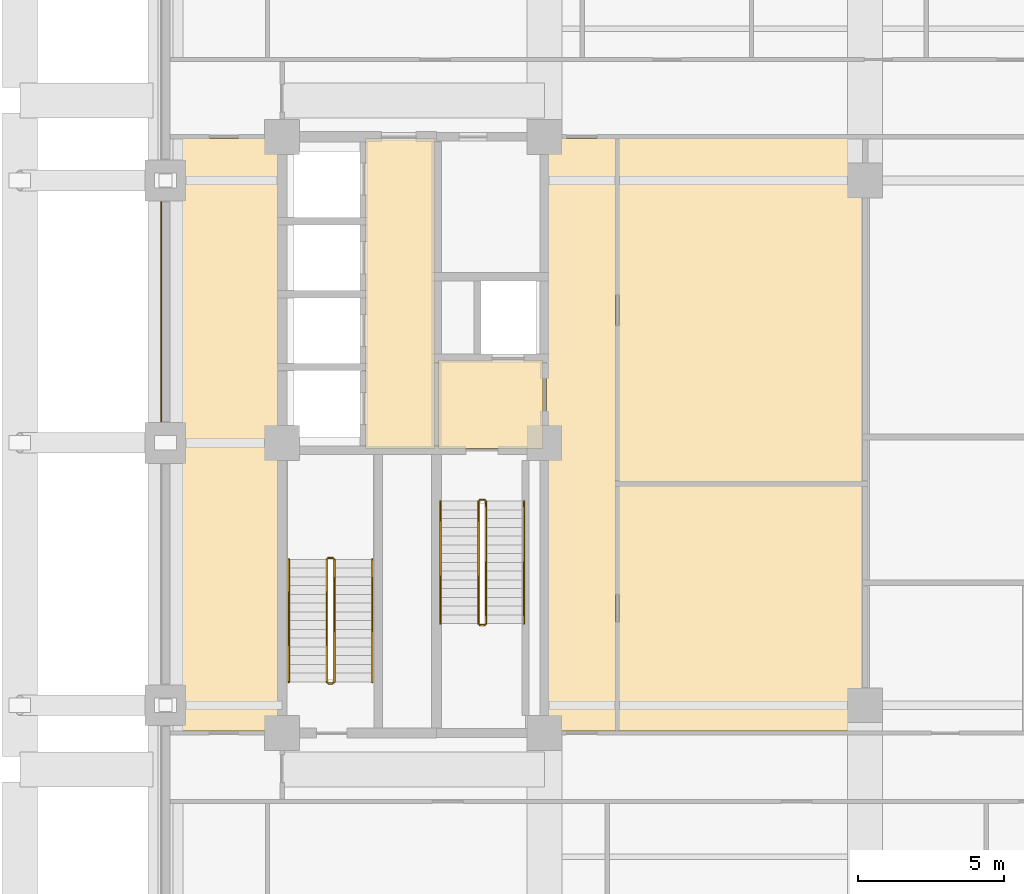
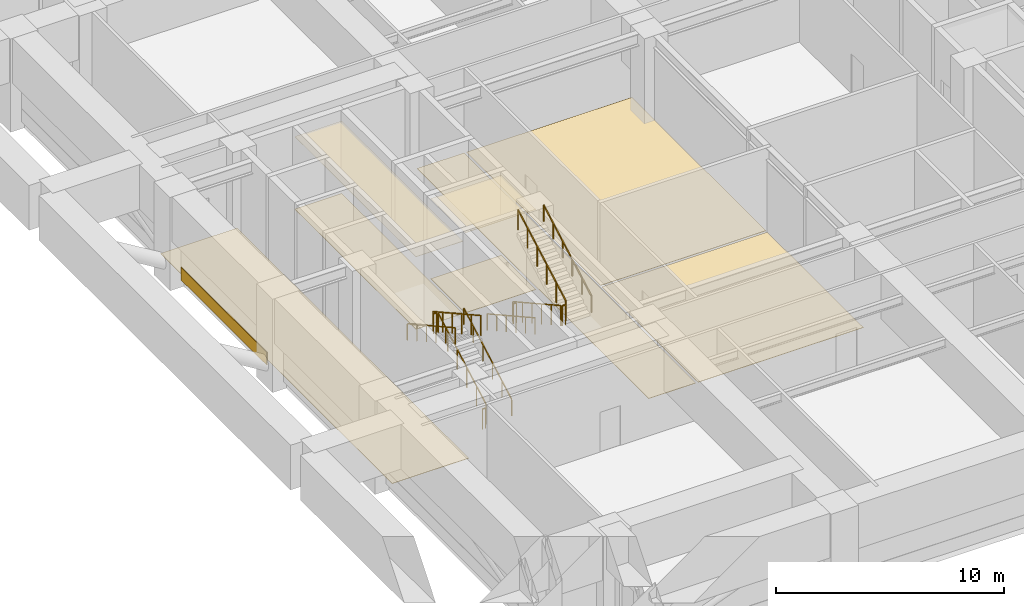
# One storey, part 8 of 11: 12 railings, 9 coverings.
"""IFC4 building model written with IfcOpenShell, lengths in metres."""

from ifc_helpers import new_model, si_unit, direction, frame, frame_2d, origin, origin_2d, place, context, subcontext, project, spatial, polyline, rectangle, outline, extrude, material, layer, layer_set, type_object, element, save


model = new_model("IFC4")

# Units and contexts
model_context = context("Model", 3, precision=1e-05, world=origin(), true_north=direction((0.0, 1.0)))
body_context = subcontext(model_context, "Body", "Model", "MODEL_VIEW")
ifc_project = project(units=[si_unit("LENGTHUNIT", "METRE"), si_unit("AREAUNIT", "SQUARE_METRE"), si_unit("VOLUMEUNIT", "CUBIC_METRE"), si_unit("PLANEANGLEUNIT", "RADIAN"), si_unit("MASSUNIT", "GRAM", prefix="KILO")], contexts=[model_context])

# Site, building, storey
site_placement = place(None, origin())
site = spatial("IfcSite", under=ifc_project, at=site_placement, CompositionType="ELEMENT")
building_placement = place(site_placement, origin())
building = spatial("IfcBuilding", under=site, at=building_placement, Name="Zulmaris Gate Convention Tower", CompositionType="ELEMENT")
storey_placement = place(building_placement, frame((0.0, 0.0, 52.18994140625)))
storey = spatial("IfcBuildingStorey", under=building, at=storey_placement, Name="L12", CompositionType="ELEMENT", Elevation=52.18994140625)

# Coverings
ifc_material_1 = material(Name="Precast concrete C40/50", Category="concrete")
ifc_layer_1 = layer(ifc_material_1, 0.0400390625, Name="Precast concrete C40/50")
ifc_layer_set_1 = layer_set([ifc_layer_1], Name="Precast concrete C40/50")
covering_type_1 = type_object("IfcCoveringType", Name="CLAD-SPANDREL-PRECAST", PredefinedType="CLADDING", material=ifc_layer_set_1)
covering_1_placement = place(storey_placement, frame((-24.14990234375, 8.27001953125, 0.0), z_axis=(0.0, 0.0, 1.0), x_axis=(0.0, -1.0, 0.0)))
element("IfcCovering", 1, at=covering_1_placement, inside=storey, type_object=covering_type_1, Name="CLD-L12-W-2_0", PredefinedType="CLADDING", context=body_context, shape_type="SweptSolid", body=[
    extrude(rectangle(XDim=7.5400390625, YDim=0.0400390625, at=frame_2d((3.77001953125, 0.0))), origin(), (0.0, 0.0, 1.0), 0.679931640625),
])
ifc_material_2 = material(Name="Mineral Fibre Acoustic Ceiling Tile")
ifc_layer_2 = layer(ifc_material_2, 0.02001953125, Name="Mineral Fibre Acoustic Ceiling Tile")
ifc_layer_set_2 = layer_set([ifc_layer_2], Name="Mineral Fibre Acoustic Ceiling Tile")
covering_type_2 = type_object("IfcCoveringType", Name="CLG-ACOUSTIC-600", PredefinedType="CEILING", material=ifc_layer_set_2)
covering_2_placement = place(storey_placement, frame((0.0, 0.0, 4.294921875)))
element("IfcCovering", 2, at=covering_2_placement, inside=storey, type_object=covering_type_2, Name="CLG-L12-R03", PredefinedType="CEILING", context=body_context, shape_type="SweptSolid", body=[
    extrude(outline(polyline([(-14.639892578125, -0.18994140625), (-11.06005859375, -0.18994140625), (-11.06005859375, 2.840087890625), (-14.639892578125, 2.840087890625), (-14.639892578125, -0.18994140625)])), origin(), (0.0, 0.0, 1.0), 0.02001953125),
])
covering_3_placement = place(storey_placement, frame((0.0, 0.0, 3.883056640625)))
element("IfcCovering", 3, at=covering_3_placement, inside=storey, type_object=covering_type_2, Name="CLG-L12-R16", PredefinedType="CEILING", context=body_context, shape_type="SweptSolid", body=[
    extrude(outline(polyline([(-17.139892578125, -0.18994140625), (-14.760009765625, -0.18994140625), (-14.760009765625, 10.43994140625), (-17.139892578125, 10.43994140625), (-17.139892578125, -0.18994140625)])), origin(), (0.0, 0.0, 1.0), 0.02001953125),
])
ifc_material_3 = material(Name="Woven Acoustic Wool Carpet Tile")
ifc_layer_3 = layer(ifc_material_3, 0.02001953125, Name="Woven Acoustic Wool Carpet Tile")
ifc_layer_set_3 = layer_set([ifc_layer_3], Name="Woven Acoustic Wool Carpet Tile")
covering_type_3 = type_object("IfcCoveringType", Name="FLR-CARPET-12", PredefinedType="FLOORING", material=ifc_layer_set_3)
covering_4_placement = place(storey_placement, origin())
element("IfcCovering", 4, at=covering_4_placement, inside=storey, type_object=covering_type_3, Name="FLR-L12-R03", PredefinedType="FLOORING", context=body_context, shape_type="SweptSolid", body=[
    extrude(outline(polyline([(-14.639892578125, -0.18994140625), (-11.06005859375, -0.18994140625), (-11.06005859375, 2.840087890625), (-14.639892578125, 2.840087890625), (-14.639892578125, -0.18994140625)])), origin(), (0.0, 0.0, 1.0), 0.02001953125),
])
covering_5_placement = place(storey_placement, origin())
element("IfcCovering", 5, at=covering_5_placement, inside=storey, type_object=covering_type_3, Name="FLR-L12-R16", PredefinedType="FLOORING", context=body_context, shape_type="SweptSolid", body=[
    extrude(outline(polyline([(-17.139892578125, -0.18994140625), (-14.760009765625, -0.18994140625), (-14.760009765625, 10.43994140625), (-17.139892578125, 10.43994140625), (-17.139892578125, -0.18994140625)])), origin(), (0.0, 0.0, 1.0), 0.02001953125),
])
covering_6_placement = place(storey_placement, origin())
element("IfcCovering", 6, at=covering_6_placement, inside=storey, type_object=covering_type_3, Name="FLR-L12-R31", PredefinedType="FLOORING", context=body_context, shape_type="SweptSolid", body=[
    extrude(outline(polyline([(-10.93994140625, -9.889892578125), (-8.56005859375, -9.889892578125), (-8.56005859375, 10.43994140625), (-10.93994140625, 10.43994140625), (-10.93994140625, -9.889892578125)])), origin(), (0.0, 0.0, 1.0), 0.02001953125),
])
covering_7_placement = place(storey_placement, origin())
element("IfcCovering", 7, at=covering_7_placement, inside=storey, type_object=covering_type_3, Name="FLR-L12-R43", PredefinedType="FLOORING", context=body_context, shape_type="SweptSolid", body=[
    extrude(outline(polyline([(-8.43994140625, -9.889892578125), (-0.06005859375, -9.889892578125), (-0.06005859375, -1.4599609375), (-8.43994140625, -1.4599609375), (-8.43994140625, -9.889892578125)])), origin(), (0.0, 0.0, 1.0), 0.02001953125),
])
covering_8_placement = place(storey_placement, origin())
element("IfcCovering", 8, at=covering_8_placement, inside=storey, type_object=covering_type_3, Name="FLR-L12-R50", PredefinedType="FLOORING", context=body_context, shape_type="SweptSolid", body=[
    extrude(outline(polyline([(-23.93994140625, -9.889892578125), (-20.06005859375, -9.889892578125), (-20.06005859375, 10.43994140625), (-23.93994140625, 10.43994140625), (-23.93994140625, -9.889892578125)])), origin(), (0.0, 0.0, 1.0), 0.02001953125),
])
ifc_material_4 = material(Name="Engineered Teak Parquet Flooring")
ifc_layer_4 = layer(ifc_material_4, 0.02001953125, Name="Engineered Teak Parquet Flooring")
ifc_layer_set_4 = layer_set([ifc_layer_4], Name="Engineered Teak Parquet Flooring")
covering_type_4 = type_object("IfcCoveringType", Name="FLR-TIMBER-18", PredefinedType="FLOORING", material=ifc_layer_set_4)
covering_9_placement = place(storey_placement, origin())
element("IfcCovering", 9, at=covering_9_placement, inside=storey, type_object=covering_type_4, Name="FLR-L12-R42", PredefinedType="FLOORING", context=body_context, shape_type="SweptSolid", body=[
    extrude(outline(polyline([(-8.43994140625, -1.340087890625), (-0.06005859375, -1.340087890625), (-0.06005859375, 10.43994140625), (-8.43994140625, 10.43994140625), (-8.43994140625, -1.340087890625)])), origin(), (0.0, 0.0, 1.0), 0.02001953125),
])

# Railings
ifc_material_5 = material(Name="Painted Galvanised Steel", Category="steel")
railing_type_1 = type_object("IfcRailingType", Name="RL-STG-1150", PredefinedType="GUARDRAIL", material=ifc_material_5)
railing_1_placement = place(storey_placement, frame((-13.27001953125, -2.0, 0.16650390625)))
element("IfcRailing", 10, at=railing_1_placement, inside=storey, type_object=railing_type_1, Name="L12 ST-1 stair guard 1", PredefinedType="GUARDRAIL", context=body_context, shape_type="SweptSolid", body=[
    extrude(rectangle(XDim=0.048095703125, YDim=0.048095703125, at=origin_2d()), frame((0.0, 0.0, 1.076171875), z_axis=(0.0, -0.874140497637, 0.485673131222), x_axis=(1.0, 0.0, 0.0)), (0.0, 0.0, 1.0), 4.8046875),
    extrude(rectangle(XDim=0.0419921875, YDim=0.0419921875, at=origin_2d()), origin(), (0.0, 0.0, 1.0), 1.052001953125),
    extrude(rectangle(XDim=0.0419921875, YDim=0.0419921875, at=origin_2d()), frame((0.0, -0.840087890625, 0.466796875)), (0.0, 0.0, 1.0), 1.052001953125),
    extrude(rectangle(XDim=0.0419921875, YDim=0.0419921875, at=origin_2d()), frame((0.0, -1.679931640625, 0.933349609375)), (0.0, 0.0, 1.0), 1.052001953125),
    extrude(rectangle(XDim=0.0419921875, YDim=0.0419921875, at=origin_2d()), frame((0.0, -2.52001953125, 1.400146484375)), (0.0, 0.0, 1.0), 1.052001953125),
    extrude(rectangle(XDim=0.0419921875, YDim=0.0419921875, at=origin_2d()), frame((0.0, -3.35986328125, 1.86669921875)), (0.0, 0.0, 1.0), 1.052001953125),
    extrude(rectangle(XDim=0.0419921875, YDim=0.0419921875, at=origin_2d()), frame((0.0, -4.199951171875, 2.33349609375)), (0.0, 0.0, 1.0), 1.052001953125),
])
railing_2_placement = place(storey_placement, frame((-13.219970703125, -6.25, 2.5)))
element("IfcRailing", 11, at=railing_2_placement, inside=storey, type_object=railing_type_1, Name="L12 ST-1 stair guard 2", PredefinedType="GUARDRAIL", context=body_context, shape_type="SweptSolid", body=[
    extrude(rectangle(XDim=0.048095703125, YDim=0.048095703125, at=origin_2d()), frame((0.0, 0.0, 1.076171875), z_axis=(1.0, 0.0, 0.0), x_axis=(0.0, 1.0, 0.0)), (0.0, 0.0, 1.0), 0.159912109375),
    extrude(rectangle(XDim=0.0419921875, YDim=0.0419921875, at=origin_2d()), origin(), (0.0, 0.0, 1.0), 1.052001953125),
    extrude(rectangle(XDim=0.0419921875, YDim=0.0419921875, at=origin_2d()), frame((0.159912109375, 0.0, 0.0)), (0.0, 0.0, 1.0), 1.052001953125),
])
railing_3_placement = place(storey_placement, frame((-13.010009765625, -6.199951171875, 2.66650390625)))
element("IfcRailing", 12, at=railing_3_placement, inside=storey, type_object=railing_type_1, Name="L12 ST-1 stair guard 3", PredefinedType="GUARDRAIL", context=body_context, shape_type="SweptSolid", body=[
    extrude(rectangle(XDim=0.048095703125, YDim=0.048095703125, at=origin_2d()), frame((0.0, 0.0, 1.076171875), z_axis=(0.0, 0.874140497637, 0.485673131222), x_axis=(-1.0, 0.0, 0.0)), (0.0, 0.0, 1.0), 4.8046875),
    extrude(rectangle(XDim=0.0419921875, YDim=0.0419921875, at=origin_2d()), origin(), (0.0, 0.0, 1.0), 1.052001953125),
    extrude(rectangle(XDim=0.0419921875, YDim=0.0419921875, at=origin_2d()), frame((0.0, 0.840087890625, 0.466796875)), (0.0, 0.0, 1.0), 1.052001953125),
    extrude(rectangle(XDim=0.0419921875, YDim=0.0419921875, at=origin_2d()), frame((0.0, 1.679931640625, 0.933349609375)), (0.0, 0.0, 1.0), 1.052001953125),
    extrude(rectangle(XDim=0.0419921875, YDim=0.0419921875, at=origin_2d()), frame((0.0, 2.52001953125, 1.400146484375)), (0.0, 0.0, 1.0), 1.052001953125),
    extrude(rectangle(XDim=0.0419921875, YDim=0.0419921875, at=origin_2d()), frame((0.0, 3.35986328125, 1.86669921875)), (0.0, 0.0, 1.0), 1.052001953125),
    extrude(rectangle(XDim=0.0419921875, YDim=0.0419921875, at=origin_2d()), frame((0.0, 4.199951171875, 2.33349609375)), (0.0, 0.0, 1.0), 1.052001953125),
])
railing_4_placement = place(storey_placement, frame((-13.219970703125, -1.949951171875, 0.0)))
element("IfcRailing", 13, at=railing_4_placement, inside=storey, type_object=railing_type_1, Name="L12 ST-1 stair guard 4", PredefinedType="GUARDRAIL", context=body_context, shape_type="SweptSolid", body=[
    extrude(rectangle(XDim=0.048095703125, YDim=0.048095703125, at=origin_2d()), frame((0.0, 0.0, 1.076171875), z_axis=(1.0, 0.0, 0.0), x_axis=(0.0, 1.0, 0.0)), (0.0, 0.0, 1.0), 0.159912109375),
    extrude(rectangle(XDim=0.0419921875, YDim=0.0419921875, at=origin_2d()), origin(), (0.0, 0.0, 1.0), 1.052001953125),
    extrude(rectangle(XDim=0.0419921875, YDim=0.0419921875, at=origin_2d()), frame((0.159912109375, 0.0, 0.0)), (0.0, 0.0, 1.0), 1.052001953125),
])
railing_5_placement = place(storey_placement, frame((-18.2099609375, -8.199951171875, 0.16650390625)))
element("IfcRailing", 14, at=railing_5_placement, inside=storey, type_object=railing_type_1, Name="L12 ST-3 stair guard 1", PredefinedType="GUARDRAIL", context=body_context, shape_type="SweptSolid", body=[
    extrude(rectangle(XDim=0.048095703125, YDim=0.048095703125, at=origin_2d()), frame((0.0, 0.0, 1.076171875), z_axis=(0.0, 0.874140497637, 0.485673131222), x_axis=(-1.0, 0.0, 0.0)), (0.0, 0.0, 1.0), 4.8046875),
    extrude(rectangle(XDim=0.0419921875, YDim=0.0419921875, at=origin_2d()), origin(), (0.0, 0.0, 1.0), 1.052001953125),
    extrude(rectangle(XDim=0.0419921875, YDim=0.0419921875, at=origin_2d()), frame((0.0, 0.840087890625, 0.466796875)), (0.0, 0.0, 1.0), 1.052001953125),
    extrude(rectangle(XDim=0.0419921875, YDim=0.0419921875, at=origin_2d()), frame((0.0, 1.679931640625, 0.933349609375)), (0.0, 0.0, 1.0), 1.052001953125),
    extrude(rectangle(XDim=0.0419921875, YDim=0.0419921875, at=origin_2d()), frame((0.0, 2.52001953125, 1.400146484375)), (0.0, 0.0, 1.0), 1.052001953125),
    extrude(rectangle(XDim=0.0419921875, YDim=0.0419921875, at=origin_2d()), frame((0.0, 3.35986328125, 1.86669921875)), (0.0, 0.0, 1.0), 1.052001953125),
    extrude(rectangle(XDim=0.0419921875, YDim=0.0419921875, at=origin_2d()), frame((0.0, 4.199951171875, 2.33349609375)), (0.0, 0.0, 1.0), 1.052001953125),
])
railing_6_placement = place(storey_placement, frame((-18.260009765625, -3.949951171875, 2.5)))
element("IfcRailing", 15, at=railing_6_placement, inside=storey, type_object=railing_type_1, Name="L12 ST-3 stair guard 2", PredefinedType="GUARDRAIL", context=body_context, shape_type="SweptSolid", body=[
    extrude(rectangle(XDim=0.048095703125, YDim=0.048095703125, at=origin_2d()), frame((0.0, 0.0, 1.076171875), z_axis=(-1.0, 0.0, 0.0), x_axis=(0.0, -1.0, 0.0)), (0.0, 0.0, 1.0), 0.159912109375),
    extrude(rectangle(XDim=0.0419921875, YDim=0.0419921875, at=origin_2d()), origin(), (0.0, 0.0, 1.0), 1.052001953125),
    extrude(rectangle(XDim=0.0419921875, YDim=0.0419921875, at=origin_2d()), frame((-0.159912109375, 0.0, 0.0)), (0.0, 0.0, 1.0), 1.052001953125),
])
railing_7_placement = place(storey_placement, frame((-18.469970703125, -4.0, 2.66650390625)))
element("IfcRailing", 16, at=railing_7_placement, inside=storey, type_object=railing_type_1, Name="L12 ST-3 stair guard 3", PredefinedType="GUARDRAIL", context=body_context, shape_type="SweptSolid", body=[
    extrude(rectangle(XDim=0.048095703125, YDim=0.048095703125, at=origin_2d()), frame((0.0, 0.0, 1.076171875), z_axis=(0.0, -0.874140497637, 0.485673131222), x_axis=(1.0, 0.0, 0.0)), (0.0, 0.0, 1.0), 4.8046875),
    extrude(rectangle(XDim=0.0419921875, YDim=0.0419921875, at=origin_2d()), origin(), (0.0, 0.0, 1.0), 1.052001953125),
    extrude(rectangle(XDim=0.0419921875, YDim=0.0419921875, at=origin_2d()), frame((0.0, -0.840087890625, 0.466796875)), (0.0, 0.0, 1.0), 1.052001953125),
    extrude(rectangle(XDim=0.0419921875, YDim=0.0419921875, at=origin_2d()), frame((0.0, -1.679931640625, 0.933349609375)), (0.0, 0.0, 1.0), 1.052001953125),
    extrude(rectangle(XDim=0.0419921875, YDim=0.0419921875, at=origin_2d()), frame((0.0, -2.52001953125, 1.400146484375)), (0.0, 0.0, 1.0), 1.052001953125),
    extrude(rectangle(XDim=0.0419921875, YDim=0.0419921875, at=origin_2d()), frame((0.0, -3.35986328125, 1.86669921875)), (0.0, 0.0, 1.0), 1.052001953125),
    extrude(rectangle(XDim=0.0419921875, YDim=0.0419921875, at=origin_2d()), frame((0.0, -4.199951171875, 2.33349609375)), (0.0, 0.0, 1.0), 1.052001953125),
])
railing_8_placement = place(storey_placement, frame((-18.260009765625, -8.25, 0.0)))
element("IfcRailing", 17, at=railing_8_placement, inside=storey, type_object=railing_type_1, Name="L12 ST-3 stair guard 4", PredefinedType="GUARDRAIL", context=body_context, shape_type="SweptSolid", body=[
    extrude(rectangle(XDim=0.048095703125, YDim=0.048095703125, at=origin_2d()), frame((0.0, 0.0, 1.076171875), z_axis=(-1.0, 0.0, 0.0), x_axis=(0.0, -1.0, 0.0)), (0.0, 0.0, 1.0), 0.159912109375),
    extrude(rectangle(XDim=0.0419921875, YDim=0.0419921875, at=origin_2d()), origin(), (0.0, 0.0, 1.0), 1.052001953125),
    extrude(rectangle(XDim=0.0419921875, YDim=0.0419921875, at=origin_2d()), frame((-0.159912109375, 0.0, 0.0)), (0.0, 0.0, 1.0), 1.052001953125),
])
ifc_material_6 = material(Name="Brushed Stainless Steel", Category="steel")
railing_type_2 = type_object("IfcRailingType", Name="RL-STH-900", PredefinedType="HANDRAIL", material=ifc_material_6)
railing_9_placement = place(storey_placement, frame((-14.570068359375, -2.0, 0.16650390625)))
element("IfcRailing", 18, at=railing_9_placement, inside=storey, type_object=railing_type_2, Name="L12 ST-1 stair handrail 1", PredefinedType="HANDRAIL", context=body_context, shape_type="SweptSolid", body=[
    extrude(rectangle(XDim=0.048095703125, YDim=0.048095703125, at=origin_2d()), frame((0.0, 0.0, 0.8759765625), z_axis=(0.0, -0.874140497637, 0.485673131222), x_axis=(1.0, 0.0, 0.0)), (0.0, 0.0, 1.0), 4.8046875),
    extrude(rectangle(XDim=0.0419921875, YDim=0.0419921875, at=origin_2d()), origin(), (0.0, 0.0, 1.0), 0.851806640625),
    extrude(rectangle(XDim=0.0419921875, YDim=0.0419921875, at=origin_2d()), frame((0.0, -0.840087890625, 0.466796875)), (0.0, 0.0, 1.0), 0.851806640625),
    extrude(rectangle(XDim=0.0419921875, YDim=0.0419921875, at=origin_2d()), frame((0.0, -1.679931640625, 0.933349609375)), (0.0, 0.0, 1.0), 0.851806640625),
    extrude(rectangle(XDim=0.0419921875, YDim=0.0419921875, at=origin_2d()), frame((0.0, -2.52001953125, 1.400146484375)), (0.0, 0.0, 1.0), 0.851806640625),
    extrude(rectangle(XDim=0.0419921875, YDim=0.0419921875, at=origin_2d()), frame((0.0, -3.35986328125, 1.86669921875)), (0.0, 0.0, 1.0), 0.851806640625),
    extrude(rectangle(XDim=0.0419921875, YDim=0.0419921875, at=origin_2d()), frame((0.0, -4.199951171875, 2.33349609375)), (0.0, 0.0, 1.0), 0.851806640625),
])
for number, where, name in (
    (19, (-11.7099609375, -6.199951171875, 2.66650390625), "L12 ST-1 stair handrail 2"),
    (20, (-16.909912109375, -8.199951171875, 0.16650390625), "L12 ST-3 stair handrail 1"),
):
    element("IfcRailing", number, at=place(storey_placement, frame(where)), inside=storey, type_object=railing_type_2, Name=name, PredefinedType="HANDRAIL", context=body_context, shape_type="SweptSolid", body=[
        extrude(rectangle(XDim=0.048095703125, YDim=0.048095703125, at=origin_2d()), frame((0.0, 0.0, 0.8759765625), z_axis=(0.0, 0.874140497637, 0.485673131222), x_axis=(-1.0, 0.0, 0.0)), (0.0, 0.0, 1.0), 4.8046875),
        extrude(rectangle(XDim=0.0419921875, YDim=0.0419921875, at=origin_2d()), origin(), (0.0, 0.0, 1.0), 0.851806640625),
        extrude(rectangle(XDim=0.0419921875, YDim=0.0419921875, at=origin_2d()), frame((0.0, 0.840087890625, 0.466796875)), (0.0, 0.0, 1.0), 0.851806640625),
        extrude(rectangle(XDim=0.0419921875, YDim=0.0419921875, at=origin_2d()), frame((0.0, 1.679931640625, 0.933349609375)), (0.0, 0.0, 1.0), 0.851806640625),
        extrude(rectangle(XDim=0.0419921875, YDim=0.0419921875, at=origin_2d()), frame((0.0, 2.52001953125, 1.400146484375)), (0.0, 0.0, 1.0), 0.851806640625),
        extrude(rectangle(XDim=0.0419921875, YDim=0.0419921875, at=origin_2d()), frame((0.0, 3.35986328125, 1.86669921875)), (0.0, 0.0, 1.0), 0.851806640625),
        extrude(rectangle(XDim=0.0419921875, YDim=0.0419921875, at=origin_2d()), frame((0.0, 4.199951171875, 2.33349609375)), (0.0, 0.0, 1.0), 0.851806640625),
    ])
railing_10_placement = place(storey_placement, frame((-19.77001953125, -4.0, 2.66650390625)))
element("IfcRailing", 21, at=railing_10_placement, inside=storey, type_object=railing_type_2, Name="L12 ST-3 stair handrail 2", PredefinedType="HANDRAIL", context=body_context, shape_type="SweptSolid", body=[
    extrude(rectangle(XDim=0.048095703125, YDim=0.048095703125, at=origin_2d()), frame((0.0, 0.0, 0.8759765625), z_axis=(0.0, -0.874140497637, 0.485673131222), x_axis=(1.0, 0.0, 0.0)), (0.0, 0.0, 1.0), 4.8046875),
    extrude(rectangle(XDim=0.0419921875, YDim=0.0419921875, at=origin_2d()), origin(), (0.0, 0.0, 1.0), 0.851806640625),
    extrude(rectangle(XDim=0.0419921875, YDim=0.0419921875, at=origin_2d()), frame((0.0, -0.840087890625, 0.466796875)), (0.0, 0.0, 1.0), 0.851806640625),
    extrude(rectangle(XDim=0.0419921875, YDim=0.0419921875, at=origin_2d()), frame((0.0, -1.679931640625, 0.933349609375)), (0.0, 0.0, 1.0), 0.851806640625),
    extrude(rectangle(XDim=0.0419921875, YDim=0.0419921875, at=origin_2d()), frame((0.0, -2.52001953125, 1.400146484375)), (0.0, 0.0, 1.0), 0.851806640625),
    extrude(rectangle(XDim=0.0419921875, YDim=0.0419921875, at=origin_2d()), frame((0.0, -3.35986328125, 1.86669921875)), (0.0, 0.0, 1.0), 0.851806640625),
    extrude(rectangle(XDim=0.0419921875, YDim=0.0419921875, at=origin_2d()), frame((0.0, -4.199951171875, 2.33349609375)), (0.0, 0.0, 1.0), 0.851806640625),
])

save(model, "model.ifc")
